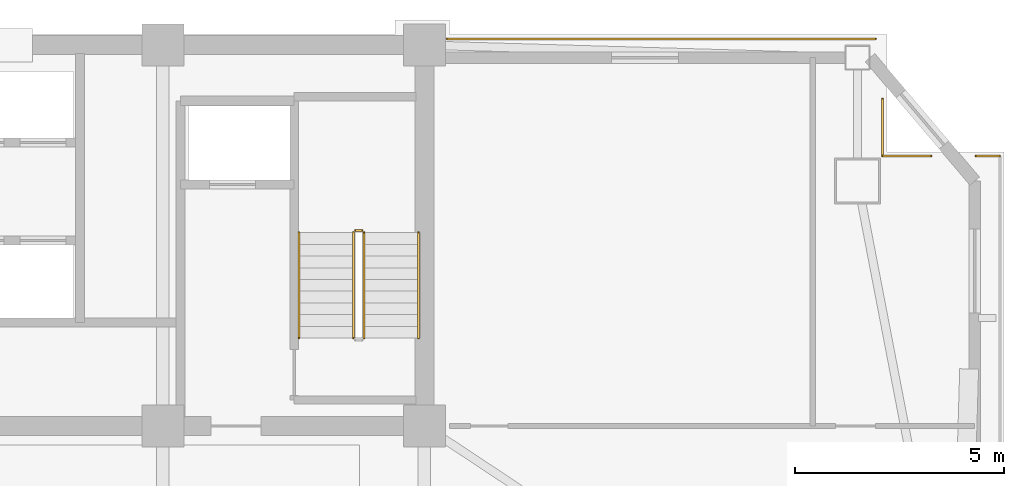
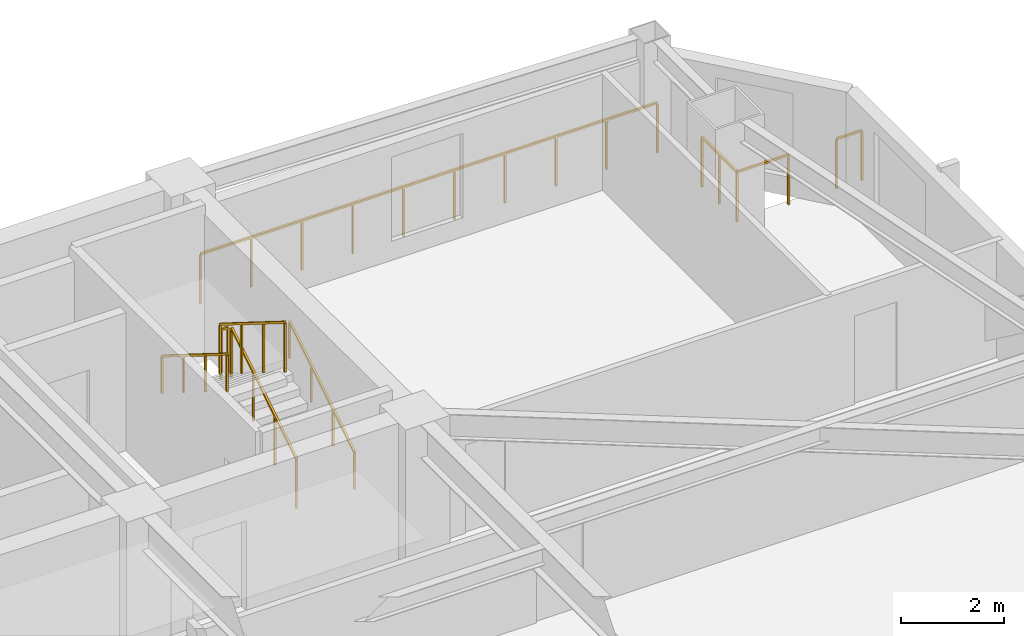
# One storey, part 17 of 17: 9 railings.
"""IFC4 building model written with IfcOpenShell, lengths in metres."""

import ifcopenshell
import ifcopenshell.guid

model = None  # the IFC model being written
_history = None  # IfcOwnerHistory: only IFC2X3 demands one
_inside = {}  # id of a spatial element -> (the spatial element, [elements in it])
_under = {}  # id of a project, library or spatial element -> (it, [spatial elements below it])
_declared = {}  # id of a project -> (the project, [libraries it declares])
_typed = {}  # id of a type object -> (the type object, [elements of that type])
_made_of = {}  # id of a material, layer set ... -> (it, [elements and type objects made of it])


def new_model(schema):
    """Start an empty IFC model of exactly this schema.

    Asked for "IFC4X3", IfcOpenShell would pick the latest addendum, in which some entities
    have other attributes; the version numbers below select the first issue.
    IFC2X3 requires an IfcOwnerHistory on every rooted entity: one is made here for all.
    """
    global model, _history
    if schema == "IFC4X3":
        model = ifcopenshell.file(schema_version=(4, 3, 0, 0))
    else:
        model = ifcopenshell.file(schema=schema)
    _inside.clear()
    _under.clear()
    _declared.clear()
    _typed.clear()
    _made_of.clear()
    _history = None
    if model.schema == "IFC2X3":
        org = make("IfcOrganization", Name="unknown")
        user = make(
            "IfcPersonAndOrganization",
            ThePerson=make("IfcPerson", FamilyName="unknown"),
            TheOrganization=org,
        )
        app = make(
            "IfcApplication",
            ApplicationDeveloper=org,
            Version="unknown",
            ApplicationFullName="unknown",
            ApplicationIdentifier="unknown",
        )
        _history = make(
            "IfcOwnerHistory",
            OwningUser=user,
            OwningApplication=app,
            ChangeAction="ADDED",
            CreationDate=0,
        )
    return model


def make(cls, **values):
    """One entity of the class cls with the attributes given. An attribute that is None is left unset."""
    return model.create_entity(
        cls, **{name: value for name, value in values.items() if value is not None}
    )


def rooted(cls, **values):
    """An entity with a GlobalId (a new one), such as an element, a storey or a relation."""
    return make(cls, GlobalId=ifcopenshell.guid.new(), OwnerHistory=_history, **values)


def si_unit(unit_type, name, prefix=None):
    """IfcSIUnit, for example si_unit("LENGTHUNIT", "METRE", prefix="MILLI")."""
    return make("IfcSIUnit", UnitType=unit_type, Prefix=prefix, Name=name)


def assignment(units):
    """IfcUnitAssignment: the units of a project."""
    return None if units is None else make("IfcUnitAssignment", Units=units)


def point(xyz):
    """IfcCartesianPoint."""
    return None if xyz is None else make("IfcCartesianPoint", Coordinates=xyz)


def direction(xyz):
    """IfcDirection."""
    return None if xyz is None else make("IfcDirection", DirectionRatios=xyz)


def frame(location, z_axis=None, x_axis=None):
    """IfcAxis2Placement3D, a coordinate frame: its origin and axes. An axis left out is left unset."""
    return make(
        "IfcAxis2Placement3D",
        Location=point(location),
        Axis=direction(z_axis),
        RefDirection=direction(x_axis),
    )


def frame_2d(location, x_axis=None):
    """IfcAxis2Placement2D, a coordinate frame in the plane: its origin and x axis."""
    return make(
        "IfcAxis2Placement2D", Location=point(location), RefDirection=direction(x_axis)
    )


def origin():
    """The frame at (0, 0, 0) with its axes left unset."""
    return frame((0.0, 0.0, 0.0))


def origin_2d():
    """The frame at (0, 0) in the plane with its x axis left unset."""
    return frame_2d((0.0, 0.0))


def place(relative_to, where):
    """IfcLocalPlacement: puts the frame where relative to a parent placement (None: the world)."""
    return make(
        "IfcLocalPlacement", PlacementRelTo=relative_to, RelativePlacement=where
    )


def context(
    kind, dimensions, precision=None, world=None, true_north=None, identifier=None
):
    """IfcGeometricRepresentationContext, for example the 3D "Model" context."""
    return make(
        "IfcGeometricRepresentationContext",
        ContextIdentifier=identifier,
        ContextType=kind,
        CoordinateSpaceDimension=dimensions,
        Precision=precision,
        WorldCoordinateSystem=world,
        TrueNorth=true_north,
    )


def subcontext(parent, identifier, kind, view, scale=None):
    """IfcGeometricRepresentationSubContext, for example "Body" below "Model"."""
    return make(
        "IfcGeometricRepresentationSubContext",
        ContextIdentifier=identifier,
        ContextType=kind,
        ParentContext=parent,
        TargetScale=scale,
        TargetView=view,
    )


def project(units=None, contexts=None):
    """IfcProject with its units and contexts."""
    return rooted(
        "IfcProject",
        Name="project",
        RepresentationContexts=contexts,
        UnitsInContext=assignment(units),
    )


def spatial(cls, under=None, at=None, **own):
    """A site, building, storey or space (cls), placed at a placement, below another one or the project."""
    s = rooted(cls, ObjectPlacement=at, **own)
    if under is not None:
        _under.setdefault(under.id(), (under, []))[1].append(s)
    return s


def profile(cls, at=None, kind="AREA", **sizes):
    """A parametric profile (cls). Its sizes go by their IFC names, for example OverallWidth=200.0."""
    return make(cls, ProfileType=kind, Position=at, **sizes)


def rectangle(**sizes):
    """IfcRectangleProfileDef."""
    return profile("IfcRectangleProfileDef", **sizes)


def extrude(swept, where, along, depth):
    """IfcExtrudedAreaSolid: the profile swept, set in the frame where, extruded along a direction by depth."""
    return make(
        "IfcExtrudedAreaSolid",
        SweptArea=swept,
        Position=where,
        ExtrudedDirection=direction(along),
        Depth=depth,
    )


def shape(context_of_items, identifier, shape_type, items):
    """IfcShapeRepresentation: the items that make up one representation, for example the "Body"."""
    return make(
        "IfcShapeRepresentation",
        ContextOfItems=context_of_items,
        RepresentationIdentifier=identifier,
        RepresentationType=shape_type,
        Items=items,
    )


def material(Name=None, Category=None):
    """IfcMaterial."""
    return make("IfcMaterial", Name=Name, Category=Category)


def made_of(thing, what):
    """Note that an element or type object is made of a material, layer set ...; save() writes the relation."""
    if what is not None:
        _made_of.setdefault(what.id(), (what, []))[1].append(thing)
    return thing


def type_object(cls, material=None, **own):
    """A type object (cls), such as IfcWallType, which elements share."""
    return made_of(rooted(cls, **own), material)


def element(
    cls,
    number,
    at=None,
    inside=None,
    cuts=None,
    type_object=None,
    material=None,
    context=None,
    identifier="Body",
    shape_type=None,
    held_by="IfcProductDefinitionShape",
    body=None,
    shapes=None,
    **own,
):
    """One element of the class cls, such as IfcWall. Its Tag is "e" and its number.

    at: its placement. inside: the storey or other place that contains it. cuts: it is an
    opening in that element (IfcRelVoidsElement). A single representation is given by context,
    identifier, shape_type and body (its items); several are given by shapes. held_by: the class
    of the entity that holds the representations. save() writes the other relations.
    """
    e = rooted(cls, Tag="e%d" % number, ObjectPlacement=at, **own)
    if body is not None:
        shapes = [shape(context, identifier, shape_type, body)]
    if shapes is not None:
        e.Representation = make(held_by, Representations=shapes)
    if inside is not None:
        _inside.setdefault(inside.id(), (inside, []))[1].append(e)
    if cuts is not None:
        rooted(
            "IfcRelVoidsElement", RelatingBuildingElement=cuts, RelatedOpeningElement=e
        )
    if type_object is not None:
        _typed.setdefault(type_object.id(), (type_object, []))[1].append(e)
    return made_of(e, material)


def aggregate(whole, parts):
    """IfcRelAggregates: a whole, such as a stair, and the parts it consists of."""
    return rooted("IfcRelAggregates", RelatingObject=whole, RelatedObjects=parts)


def save(model, path):
    """Write the relations noted so far, then the file.

    IfcRelAggregates (storeys below a building ...), IfcRelContainedInSpatialStructure (elements
    in a storey), IfcRelDefinesByType, IfcRelAssociatesMaterial and IfcRelDeclares: one each for
    every whole, place, type object, material and project.
    """
    for whole, parts in _under.values():
        aggregate(whole, parts)
    for where, things in _inside.values():
        rooted(
            "IfcRelContainedInSpatialStructure",
            RelatedElements=things,
            RelatingStructure=where,
        )
    for kind, things in _typed.values():
        rooted("IfcRelDefinesByType", RelatedObjects=things, RelatingType=kind)
    for what, things in _made_of.values():
        rooted("IfcRelAssociatesMaterial", RelatedObjects=things, RelatingMaterial=what)
    for by, libraries in _declared.values():
        rooted("IfcRelDeclares", RelatingContext=by, RelatedDefinitions=libraries)
    model.write(path)


model = new_model("IFC4")

# Units and contexts
model_context = context("Model", 3, precision=1e-05, world=origin(), true_north=direction((0.0, 1.0)))
body_context = subcontext(model_context, "Body", "Model", "MODEL_VIEW")
ifc_project = project(units=[si_unit("LENGTHUNIT", "METRE"), si_unit("AREAUNIT", "SQUARE_METRE"), si_unit("VOLUMEUNIT", "CUBIC_METRE"), si_unit("PLANEANGLEUNIT", "RADIAN"), si_unit("MASSUNIT", "GRAM", prefix="KILO")], contexts=[model_context])

# Site, building, storey
site_placement = place(None, origin())
site = spatial("IfcSite", under=ifc_project, at=site_placement, CompositionType="ELEMENT")
building_placement = place(site_placement, origin())
building = spatial("IfcBuilding", under=site, at=building_placement, Name="Giltprow Tower", CompositionType="ELEMENT")
storey_placement = place(building_placement, frame((0.0, 0.0, 206.199951171875)))
storey = spatial("IfcBuildingStorey", under=building, at=storey_placement, Name="L52", CompositionType="ELEMENT", Elevation=206.199951171875)

# Railings
ifc_material = material(Name="Anodized bronze", Category="metal")
railing_type_1 = type_object("IfcRailingType", Name="RAIL-BALC-GUARD-1200", PredefinedType="BALUSTRADE", material=ifc_material)
railing_1_placement = place(storey_placement, frame((51.0849609375, 46.699951171875, 0.0)))
element("IfcRailing", 1, at=railing_1_placement, inside=storey, type_object=railing_type_1, Name="L52 Corner Apron Edge Balustrade 18", PredefinedType="BALUSTRADE", context=body_context, shape_type="SweptSolid", body=[
    extrude(rectangle(XDim=0.048095703125, YDim=0.048095703125, at=origin_2d()), frame((0.0, 0.0, 1.17578125), z_axis=(1.0, 0.0, 0.0), x_axis=(0.0, 1.0, 0.0)), (0.0, 0.0, 1.0), 10.241943359375),
    extrude(rectangle(XDim=0.0419921875, YDim=0.0419921875, at=origin_2d()), origin(), (0.0, 0.0, 1.0), 1.15185546875),
    extrude(rectangle(XDim=0.0419921875, YDim=0.0419921875, at=origin_2d()), frame((1.137939453125, 0.0, 0.0)), (0.0, 0.0, 1.0), 1.15185546875),
    extrude(rectangle(XDim=0.0419921875, YDim=0.0419921875, at=origin_2d()), frame((2.27587890625, 0.0, 0.0)), (0.0, 0.0, 1.0), 1.15185546875),
    extrude(rectangle(XDim=0.0419921875, YDim=0.0419921875, at=origin_2d()), frame((3.4140625, 0.0, 0.0)), (0.0, 0.0, 1.0), 1.15185546875),
    extrude(rectangle(XDim=0.0419921875, YDim=0.0419921875, at=origin_2d()), frame((4.552001953125, 0.0, 0.0)), (0.0, 0.0, 1.0), 1.15185546875),
    extrude(rectangle(XDim=0.0419921875, YDim=0.0419921875, at=origin_2d()), frame((5.68994140625, 0.0, 0.0)), (0.0, 0.0, 1.0), 1.15185546875),
    extrude(rectangle(XDim=0.0419921875, YDim=0.0419921875, at=origin_2d()), frame((6.827880859375, 0.0, 0.0)), (0.0, 0.0, 1.0), 1.15185546875),
    extrude(rectangle(XDim=0.0419921875, YDim=0.0419921875, at=origin_2d()), frame((7.966064453125, 0.0, 0.0)), (0.0, 0.0, 1.0), 1.15185546875),
    extrude(rectangle(XDim=0.0419921875, YDim=0.0419921875, at=origin_2d()), frame((9.10400390625, 0.0, 0.0)), (0.0, 0.0, 1.0), 1.15185546875),
    extrude(rectangle(XDim=0.0419921875, YDim=0.0419921875, at=origin_2d()), frame((10.241943359375, 0.0, 0.0)), (0.0, 0.0, 1.0), 1.15185546875),
])
railing_2_placement = place(storey_placement, frame((61.498046875, 45.261962890625, 0.0)))
element("IfcRailing", 2, at=railing_2_placement, inside=storey, type_object=railing_type_1, Name="L52 Corner Apron Edge Balustrade 19", PredefinedType="BALUSTRADE", context=body_context, shape_type="SweptSolid", body=[
    extrude(rectangle(XDim=0.048095703125, YDim=0.048095703125, at=origin_2d()), frame((0.0, 0.0, 1.17578125), z_axis=(0.0, -1.0, 0.0), x_axis=(1.0, 0.0, 0.0)), (0.0, 0.0, 1.0), 1.362060546875),
    extrude(rectangle(XDim=0.0419921875, YDim=0.0419921875, at=origin_2d()), origin(), (0.0, 0.0, 1.0), 1.15185546875),
    extrude(rectangle(XDim=0.0419921875, YDim=0.0419921875, at=origin_2d()), frame((0.0, -0.68115234375, 0.0)), (0.0, 0.0, 1.0), 1.15185546875),
    extrude(rectangle(XDim=0.0419921875, YDim=0.0419921875, at=origin_2d()), frame((0.0, -1.362060546875, 0.0)), (0.0, 0.0, 1.0), 1.15185546875),
])
railing_3_placement = place(storey_placement, frame((61.498046875, 43.89990234375, 0.0)))
element("IfcRailing", 3, at=railing_3_placement, inside=storey, type_object=railing_type_1, Name="L52 Corner Apron Edge Balustrade 20", PredefinedType="BALUSTRADE", context=body_context, shape_type="SweptSolid", body=[
    extrude(rectangle(XDim=0.048095703125, YDim=0.048095703125, at=origin_2d()), frame((0.0, 0.0, 1.17578125), z_axis=(1.0, 0.0, 0.0), x_axis=(0.0, 1.0, 0.0)), (0.0, 0.0, 1.0), 1.154052734375),
    extrude(rectangle(XDim=0.0419921875, YDim=0.0419921875, at=origin_2d()), origin(), (0.0, 0.0, 1.0), 1.15185546875),
    extrude(rectangle(XDim=0.0419921875, YDim=0.0419921875, at=origin_2d()), frame((1.154052734375, 0.0, 0.0)), (0.0, 0.0, 1.0), 1.15185546875),
])
railing_4_placement = place(storey_placement, frame((63.72705078125, 43.89990234375, 0.0)))
element("IfcRailing", 4, at=railing_4_placement, inside=storey, type_object=railing_type_1, Name="L52 Corner Apron Edge Balustrade 21", PredefinedType="BALUSTRADE", context=body_context, shape_type="SweptSolid", body=[
    extrude(rectangle(XDim=0.048095703125, YDim=0.048095703125, at=origin_2d()), frame((0.0, 0.0, 1.17578125), z_axis=(1.0, 0.0, 0.0), x_axis=(0.0, 1.0, 0.0)), (0.0, 0.0, 1.0), 0.571044921875),
    extrude(rectangle(XDim=0.0419921875, YDim=0.0419921875, at=origin_2d()), origin(), (0.0, 0.0, 1.0), 1.15185546875),
    extrude(rectangle(XDim=0.0419921875, YDim=0.0419921875, at=origin_2d()), frame((0.571044921875, 0.0, 0.0)), (0.0, 0.0, 1.0), 1.15185546875),
])
railing_type_2 = type_object("IfcRailingType", Name="RAIL-STAIR-GUARD-1200", PredefinedType="GUARDRAIL", material=ifc_material)
railing_5_placement = place(storey_placement, frame((49.110107421875, 39.550048828125, 0.175048828125)))
element("IfcRailing", 5, at=railing_5_placement, inside=storey, type_object=railing_type_2, Name="L52 ST-3 stair guard 1", PredefinedType="GUARDRAIL", context=body_context, shape_type="SweptSolid", body=[
    extrude(rectangle(XDim=0.048095703125, YDim=0.048095703125, at=origin_2d()), frame((0.0, 0.0, 1.17578125), z_axis=(0.0, 0.848007534815, 0.529984170421), x_axis=(-1.0, 0.0, 0.0)), (0.0, 0.0, 1.0), 2.9716796875),
    extrude(rectangle(XDim=0.0419921875, YDim=0.0419921875, at=origin_2d()), origin(), (0.0, 0.0, 1.0), 1.15185546875),
    extrude(rectangle(XDim=0.0419921875, YDim=0.0419921875, at=origin_2d()), frame((0.0, 0.840087890625, 0.52490234375)), (0.0, 0.0, 1.0), 1.15185546875),
    extrude(rectangle(XDim=0.0419921875, YDim=0.0419921875, at=origin_2d()), frame((0.0, 1.679931640625, 1.050048828125)), (0.0, 0.0, 1.0), 1.15185546875),
    extrude(rectangle(XDim=0.0419921875, YDim=0.0419921875, at=origin_2d()), frame((0.0, 2.52001953125, 1.574951171875)), (0.0, 0.0, 1.0), 1.15185546875),
])
railing_6_placement = place(storey_placement, frame((49.06005859375, 42.1201171875, 1.75)))
element("IfcRailing", 6, at=railing_6_placement, inside=storey, type_object=railing_type_2, Name="L52 ST-3 stair guard 2", PredefinedType="GUARDRAIL", context=body_context, shape_type="SweptSolid", body=[
    extrude(rectangle(XDim=0.048095703125, YDim=0.048095703125, at=origin_2d()), frame((0.0, 0.0, 1.17578125), z_axis=(-1.0, 0.0, 0.0), x_axis=(0.0, -1.0, 0.0)), (0.0, 0.0, 1.0), 0.16015625),
    extrude(rectangle(XDim=0.0419921875, YDim=0.0419921875, at=origin_2d()), origin(), (0.0, 0.0, 1.0), 1.15185546875),
    extrude(rectangle(XDim=0.0419921875, YDim=0.0419921875, at=origin_2d()), frame((-0.16015625, 0.0, 0.0)), (0.0, 0.0, 1.0), 1.15185546875),
])
railing_7_placement = place(storey_placement, frame((48.85009765625, 42.070068359375, 1.925048828125)))
element("IfcRailing", 7, at=railing_7_placement, inside=storey, type_object=railing_type_2, Name="L52 ST-3 stair guard 3", PredefinedType="GUARDRAIL", context=body_context, shape_type="SweptSolid", body=[
    extrude(rectangle(XDim=0.048095703125, YDim=0.048095703125, at=origin_2d()), frame((0.0, 0.0, 1.17578125), z_axis=(0.0, -0.848007534815, 0.529984170421), x_axis=(1.0, 0.0, 0.0)), (0.0, 0.0, 1.0), 2.9716796875),
    extrude(rectangle(XDim=0.0419921875, YDim=0.0419921875, at=origin_2d()), origin(), (0.0, 0.0, 1.0), 1.15185546875),
    extrude(rectangle(XDim=0.0419921875, YDim=0.0419921875, at=origin_2d()), frame((0.0, -0.840087890625, 0.52490234375)), (0.0, 0.0, 1.0), 1.15185546875),
    extrude(rectangle(XDim=0.0419921875, YDim=0.0419921875, at=origin_2d()), frame((0.0, -1.679931640625, 1.050048828125)), (0.0, 0.0, 1.0), 1.15185546875),
    extrude(rectangle(XDim=0.0419921875, YDim=0.0419921875, at=origin_2d()), frame((0.0, -2.52001953125, 1.574951171875)), (0.0, 0.0, 1.0), 1.15185546875),
])
railing_type_3 = type_object("IfcRailingType", Name="RAIL-STAIR-HAND-900", PredefinedType="HANDRAIL", material=ifc_material)
railing_8_placement = place(storey_placement, frame((50.409912109375, 39.550048828125, 0.175048828125)))
element("IfcRailing", 8, at=railing_8_placement, inside=storey, type_object=railing_type_3, Name="L52 ST-3 stair handrail 1", PredefinedType="HANDRAIL", context=body_context, shape_type="SweptSolid", body=[
    extrude(rectangle(XDim=0.048095703125, YDim=0.048095703125, at=origin_2d()), frame((0.0, 0.0, 0.8759765625), z_axis=(0.0, 0.848007534815, 0.529984170421), x_axis=(-1.0, 0.0, 0.0)), (0.0, 0.0, 1.0), 2.9716796875),
    extrude(rectangle(XDim=0.0419921875, YDim=0.0419921875, at=origin_2d()), origin(), (0.0, 0.0, 1.0), 0.851806640625),
    extrude(rectangle(XDim=0.0419921875, YDim=0.0419921875, at=origin_2d()), frame((0.0, 0.840087890625, 0.52490234375)), (0.0, 0.0, 1.0), 0.851806640625),
    extrude(rectangle(XDim=0.0419921875, YDim=0.0419921875, at=origin_2d()), frame((0.0, 1.679931640625, 1.050048828125)), (0.0, 0.0, 1.0), 0.851806640625),
    extrude(rectangle(XDim=0.0419921875, YDim=0.0419921875, at=origin_2d()), frame((0.0, 2.52001953125, 1.574951171875)), (0.0, 0.0, 1.0), 0.851806640625),
])
railing_9_placement = place(storey_placement, frame((47.550048828125, 42.070068359375, 1.925048828125)))
element("IfcRailing", 9, at=railing_9_placement, inside=storey, type_object=railing_type_3, Name="L52 ST-3 stair handrail 2", PredefinedType="HANDRAIL", context=body_context, shape_type="SweptSolid", body=[
    extrude(rectangle(XDim=0.048095703125, YDim=0.048095703125, at=origin_2d()), frame((0.0, 0.0, 0.8759765625), z_axis=(0.0, -0.848007534815, 0.529984170421), x_axis=(1.0, 0.0, 0.0)), (0.0, 0.0, 1.0), 2.9716796875),
    extrude(rectangle(XDim=0.0419921875, YDim=0.0419921875, at=origin_2d()), origin(), (0.0, 0.0, 1.0), 0.851806640625),
    extrude(rectangle(XDim=0.0419921875, YDim=0.0419921875, at=origin_2d()), frame((0.0, -0.840087890625, 0.52490234375)), (0.0, 0.0, 1.0), 0.851806640625),
    extrude(rectangle(XDim=0.0419921875, YDim=0.0419921875, at=origin_2d()), frame((0.0, -1.679931640625, 1.050048828125)), (0.0, 0.0, 1.0), 0.851806640625),
    extrude(rectangle(XDim=0.0419921875, YDim=0.0419921875, at=origin_2d()), frame((0.0, -2.52001953125, 1.574951171875)), (0.0, 0.0, 1.0), 0.851806640625),
])

save(model, "model.ifc")
